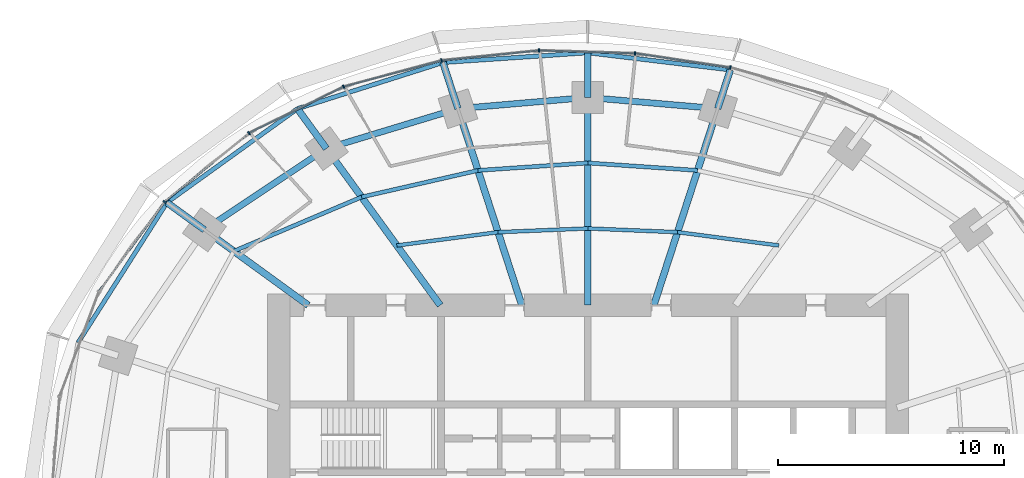
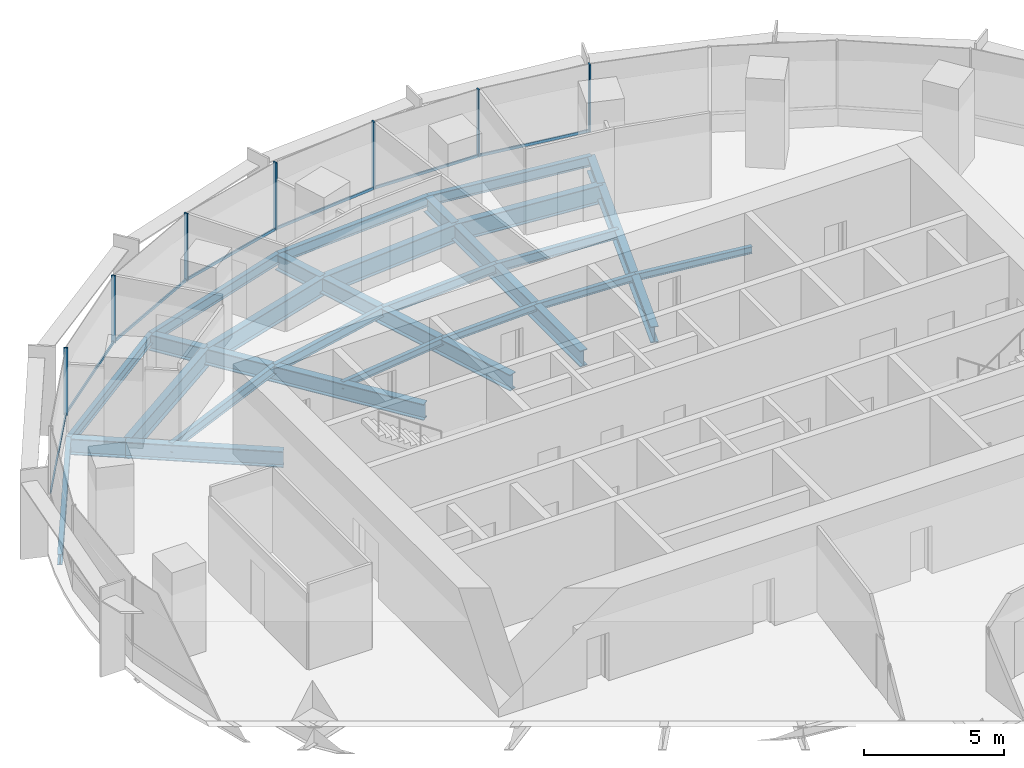
# One storey, part 7 of 15: 27 beams, 14 members, 2 elements without a shape of their own.
"""IFC4 building model written with IfcOpenShell, lengths in metres."""

from ifc_helpers import new_model, si_unit, direction, frame, origin, origin_2d, place, context, subcontext, project, spatial, rectangle, i_section, extrude, material, material_profile, profile_set, type_object, element, aggregate, save


model = new_model("IFC4")

# Units and contexts
model_context = context("Model", 3, precision=1e-05, world=origin(), true_north=direction((0.0, 1.0)))
body_context = subcontext(model_context, "Body", "Model", "MODEL_VIEW")
ifc_project = project(units=[si_unit("LENGTHUNIT", "METRE"), si_unit("AREAUNIT", "SQUARE_METRE"), si_unit("VOLUMEUNIT", "CUBIC_METRE"), si_unit("PLANEANGLEUNIT", "RADIAN"), si_unit("MASSUNIT", "GRAM", prefix="KILO")], contexts=[model_context])

# Site, building, storey
site_placement = place(None, origin())
site = spatial("IfcSite", under=ifc_project, at=site_placement, CompositionType="ELEMENT")
building_placement = place(site_placement, origin())
building = spatial("IfcBuilding", under=site, at=building_placement, Name="Marramba Exchange Tower", CompositionType="ELEMENT")
storey_placement = place(building_placement, frame((0.0, 0.0, 187.699951171875)))
storey = spatial("IfcBuildingStorey", under=building, at=storey_placement, Name="L45", CompositionType="ELEMENT", Elevation=187.699951171875)

# Beams
ifc_material_1 = material(Name="Steel AS/NZS 3679.2 grade 300", Category="steel")
ifc_material_profile_1 = material_profile(ifc_material_1, i_section(OverallWidth=0.300048828125, OverallDepth=0.699951171875, WebThickness=0.010009765625, FlangeThickness=0.031982421875, at=origin_2d()), Name="700WB173")
ifc_profile_set_1 = profile_set([ifc_material_profile_1], Name="Steel AS/NZS 3679.2 grade 300")
beam_type_1 = type_object("IfcBeamType", Name="Cantilever girder 700WB173", PredefinedType="BEAM", material=ifc_profile_set_1)
beam_1_placement = place(storey_placement, frame((5.75390625, 17.70849609375, -0.510009765625), z_axis=(0.308960771946, 0.951074782232, 0.0), x_axis=(-0.951074782232, 0.308960771946, 0.0)))
element("IfcBeam", 1, at=beam_1_placement, inside=storey, type_object=beam_type_1, Name="Cantilever girder L45 TC05", PredefinedType="BEAM", context=body_context, shape_type="SweptSolid", body=[
    extrude(i_section(OverallWidth=0.300048828125, OverallDepth=0.699951171875, WebThickness=0.010009765625, FlangeThickness=0.031982421875, at=origin_2d()), origin(), (0.0, 0.0, 1.0), 1.806396484375),
])
beam_2_placement = place(storey_placement, frame((0.0, 18.2041015625, -0.510009765625), z_axis=(0.0, 1.0, 0.0), x_axis=(-1.0, 0.0, 0.0)))
element("IfcBeam", 2, at=beam_2_placement, inside=storey, type_object=beam_type_1, Name="Cantilever girder L45 TC06", PredefinedType="BEAM", context=body_context, shape_type="SweptSolid", body=[
    extrude(i_section(OverallWidth=0.300048828125, OverallDepth=0.699951171875, WebThickness=0.010009765625, FlangeThickness=0.031982421875, at=origin_2d()), origin(), (0.0, 0.0, 1.0), 1.982177734375),
])
beam_3_placement = place(storey_placement, frame((-5.75390625, 17.70849609375, -0.510009765625), z_axis=(-0.308998798068, 0.951062428441, 0.0), x_axis=(-0.951062428441, -0.308998798068, 0.0)))
element("IfcBeam", 3, at=beam_3_placement, inside=storey, type_object=beam_type_1, Name="Cantilever girder L45 TC07", PredefinedType="BEAM", context=body_context, shape_type="SweptSolid", body=[
    extrude(i_section(OverallWidth=0.300048828125, OverallDepth=0.699951171875, WebThickness=0.010009765625, FlangeThickness=0.031982421875, at=origin_2d()), origin(), (0.0, 0.0, 1.0), 2.150634765625),
])
beam_4_placement = place(storey_placement, frame((-11.581298828125, 15.9404296875, -0.510009765625), z_axis=(-0.587832433352, 0.808982713226, 0.0), x_axis=(-0.808982713226, -0.587832433352, 0.0)))
element("IfcBeam", 4, at=beam_4_placement, inside=storey, type_object=beam_type_1, Name="Cantilever girder L45 TC08", PredefinedType="BEAM", context=body_context, shape_type="SweptSolid", body=[
    extrude(i_section(OverallWidth=0.300048828125, OverallDepth=0.699951171875, WebThickness=0.010009765625, FlangeThickness=0.031982421875, at=origin_2d()), origin(), (0.0, 0.0, 1.0), 2.1826171875),
])
beam_5_placement = place(storey_placement, frame((-16.98583984375, 12.3408203125, -0.510009765625), z_axis=(-0.808962446125, 0.587860324192, 0.0), x_axis=(-0.587860324192, -0.808962446125, 0.0)))
element("IfcBeam", 5, at=beam_5_placement, inside=storey, type_object=beam_type_1, Name="Cantilever girder L45 TC09", PredefinedType="BEAM", context=body_context, shape_type="SweptSolid", body=[
    extrude(i_section(OverallWidth=0.300048828125, OverallDepth=0.699951171875, WebThickness=0.010009765625, FlangeThickness=0.031982421875, at=origin_2d()), origin(), (0.0, 0.0, 1.0), 2.051513671875),
])
ifc_material_2 = material(Name="Steel AS/NZS 3679.1 grade 300", Category="steel")
ifc_material_profile_2 = material_profile(ifc_material_2, i_section(OverallWidth=0.166015625, OverallDepth=0.306884765625, WebThickness=0.006591796875, FlangeThickness=0.01171875, FilletRadius=0.011474609375, at=origin_2d()), Name="310UB46.2")
ifc_profile_set_2 = profile_set([ifc_material_profile_2], Name="Steel AS/NZS 3679.1 grade 300")
beam_type_2 = type_object("IfcBeamType", Name="Floor joist 310UB46.2", PredefinedType="JOIST", material=ifc_profile_set_2)
beam_6_placement = place(storey_placement, frame((8.4619140625, 11.646728515625, -0.3134765625), z_axis=(-0.991480538255, 0.130254912618, 0.0), x_axis=(-0.130254912618, -0.991480538255, 0.0)))
element("IfcBeam", 6, at=beam_6_placement, inside=storey, type_object=beam_type_2, Name="Joist L45 bay 04 row 1", PredefinedType="JOIST", context=body_context, shape_type="SweptSolid", body=[
    extrude(i_section(OverallWidth=0.166015625, OverallDepth=0.306884765625, WebThickness=0.006591796875, FlangeThickness=0.01171875, FilletRadius=0.011474609375, at=origin_2d()), origin(), (0.0, 0.0, 1.0), 4.524658203125),
])
for number, where, z_axis, x_axis, name in (
    (7, (3.975830078125, 12.236083984375, -0.3134765625), (-0.999137002892, 0.041536122257, 0.0), (-0.041536122257, -0.999137002892, 0.0), "Joist L45 bay 05 row 1"),
    (8, (0.0, 12.4013671875, -0.3134765625), (-0.999137002892, -0.041536122257, 0.0), (0.041536122257, -0.999137002892, 0.0), "Joist L45 bay 06 row 1"),
):
    element("IfcBeam", number, at=place(storey_placement, frame(where, z_axis=z_axis, x_axis=x_axis)), inside=storey, type_object=beam_type_2, Name=name, PredefinedType="JOIST", context=body_context, shape_type="SweptSolid", body=[
        extrude(i_section(OverallWidth=0.166015625, OverallDepth=0.306884765625, WebThickness=0.006591796875, FlangeThickness=0.01171875, FilletRadius=0.011474609375, at=origin_2d()), origin(), (0.0, 0.0, 1.0), 3.979248046875),
    ])
beam_7_placement = place(storey_placement, frame((-3.975830078125, 12.236083984375, -0.3134765625), z_axis=(-0.991480538255, -0.130254912618, 0.0), x_axis=(0.130254912618, -0.991480538255, 0.0)))
element("IfcBeam", 9, at=beam_7_placement, inside=storey, type_object=beam_type_2, Name="Joist L45 bay 07 row 1", PredefinedType="JOIST", context=body_context, shape_type="SweptSolid", body=[
    extrude(i_section(OverallWidth=0.166015625, OverallDepth=0.306884765625, WebThickness=0.006591796875, FlangeThickness=0.01171875, FilletRadius=0.011474609375, at=origin_2d()), origin(), (0.0, 0.0, 1.0), 4.524658203125),
])
ifc_material_profile_3 = material_profile(ifc_material_2, i_section(OverallWidth=0.177978515625, OverallDepth=0.406005859375, WebThickness=0.0078125, FlangeThickness=0.0126953125, FilletRadius=0.011474609375, at=origin_2d()), Name="410UB59.7")
ifc_profile_set_3 = profile_set([ifc_material_profile_3], Name="Steel AS/NZS 3679.1 grade 300")
beam_type_3 = type_object("IfcBeamType", Name="Floor joist 410UB59.7", PredefinedType="JOIST", material=ifc_profile_set_3)
for number, where, z_axis, x_axis, name in (
    (10, (4.86474609375, 14.972412109375, -0.363037109375), (-0.997702652202, 0.067745241816, 0.0), (-0.067745241816, -0.997702652202, 0.0), "Joist L45 bay 05 row 2"),
    (11, (0.0, 15.302734375, -0.363037109375), (-0.997702652202, -0.067745241816, 0.0), (0.067745241816, -0.997702652202, 0.0), "Joist L45 bay 06 row 2"),
):
    element("IfcBeam", number, at=place(storey_placement, frame(where, z_axis=z_axis, x_axis=x_axis)), inside=storey, type_object=beam_type_3, Name=name, PredefinedType="JOIST", context=body_context, shape_type="SweptSolid", body=[
        extrude(i_section(OverallWidth=0.177978515625, OverallDepth=0.406005859375, WebThickness=0.0078125, FlangeThickness=0.0126953125, FilletRadius=0.011474609375, at=origin_2d()), origin(), (0.0, 0.0, 1.0), 4.8759765625),
    ])
beam_8_placement = place(storey_placement, frame((-4.86474609375, 14.972412109375, -0.363037109375), z_axis=(-0.974859652292, -0.222819788916, 0.0), x_axis=(0.222819788916, -0.974859652292, 0.0)))
element("IfcBeam", 12, at=beam_8_placement, inside=storey, type_object=beam_type_3, Name="Joist L45 bay 07 row 2", PredefinedType="JOIST", context=body_context, shape_type="SweptSolid", body=[
    extrude(i_section(OverallWidth=0.177978515625, OverallDepth=0.406005859375, WebThickness=0.0078125, FlangeThickness=0.0126953125, FilletRadius=0.011474609375, at=origin_2d()), origin(), (0.0, 0.0, 1.0), 5.2900390625),
])
beam_9_placement = place(storey_placement, frame((-10.021728515625, 13.793701171875, -0.363037109375), z_axis=(-0.920674336375, -0.390331610738, 0.0), x_axis=(0.390331610738, -0.920674336375, 0.0)))
element("IfcBeam", 13, at=beam_9_placement, inside=storey, type_object=beam_type_3, Name="Joist L45 bay 08 row 2", PredefinedType="JOIST", context=body_context, shape_type="SweptSolid", body=[
    extrude(i_section(OverallWidth=0.177978515625, OverallDepth=0.406005859375, WebThickness=0.0078125, FlangeThickness=0.0126953125, FilletRadius=0.011474609375, at=origin_2d()), origin(), (0.0, 0.0, 1.0), 6.1484375),
])

# Curtain wall, members
ifc_material_3 = material(Name="Aluminium framing, bronze anodised", Category="aluminium")
curtain_wall_type = type_object("IfcCurtainWallType", Name="Office ribbon curtain wall", PredefinedType="USERDEFINED", material=ifc_material_3)
curtain_wall_1_placement = place(storey_placement, origin())
curtain_wall_1 = element("IfcCurtainWall", 14, at=curtain_wall_1_placement, inside=storey, type_object=curtain_wall_type, Name="Curtain wall CW4 L45 F06-F10", ObjectType="RIBBON CURTAIN WALL", PredefinedType="USERDEFINED")
ifc_material_4 = material(Name="Aluminium mullion, bronze anodised", Category="aluminium")
ifc_material_profile_4 = material_profile(ifc_material_4, rectangle(XDim=0.159912109375, YDim=0.06005859375, at=origin_2d()), Name="CW4 mullion 60x160")
ifc_profile_set_4 = profile_set([ifc_material_profile_4], Name="Aluminium mullion, bronze anodised")
member_type_1 = type_object("IfcMemberType", Name="Office ribbon curtain wall mullion", PredefinedType="MULLION", material=ifc_profile_set_4)
member_1_placement = place(storey_placement, frame((6.313232421875, 19.526123046875, 0.800048828125), z_axis=(0.0, 0.0, 1.0), x_axis=(-0.148794988635, -0.988868065698, 0.0)))
member_1 = element("IfcMember", 15, at=member_1_placement, type_object=member_type_1, Name="CW4 mullion 1", PredefinedType="MULLION", context=body_context, shape_type="SweptSolid", body=[
    extrude(rectangle(XDim=0.159912109375, YDim=0.06005859375, at=origin_2d()), origin(), (0.0, 0.0, 1.0), 2.93994140625),
])
member_2_placement = place(storey_placement, frame((2.088623046875, 20.158203125, 0.800048828125), z_axis=(0.0, 0.0, 1.0), x_axis=(-0.03039385249, -0.999538000143, 0.0)))
member_2 = element("IfcMember", 16, at=member_2_placement, type_object=member_type_1, Name="CW4 mullion 1", PredefinedType="MULLION", context=body_context, shape_type="SweptSolid", body=[
    extrude(rectangle(XDim=0.159912109375, YDim=0.06005859375, at=origin_2d()), origin(), (0.0, 0.0, 1.0), 2.93994140625),
])
member_3_placement = place(storey_placement, frame((-2.162109375, 20.28369140625, 0.800048828125), z_axis=(0.0, 0.0, 1.0), x_axis=(0.100862673507, -0.994900357369, 0.0)))
member_3 = element("IfcMember", 17, at=member_3_placement, type_object=member_type_1, Name="CW4 mullion 1", PredefinedType="MULLION", context=body_context, shape_type="SweptSolid", body=[
    extrude(rectangle(XDim=0.159912109375, YDim=0.06005859375, at=origin_2d()), origin(), (0.0, 0.0, 1.0), 2.93994140625),
])
member_4_placement = place(storey_placement, frame((-6.478271484375, 19.84130859375, 0.800048828125), z_axis=(0.0, 0.0, 1.0), x_axis=(0.257641223778, -0.966240653155, 0.0)))
member_4 = element("IfcMember", 18, at=member_4_placement, type_object=member_type_1, Name="CW4 mullion 1", PredefinedType="MULLION", context=body_context, shape_type="SweptSolid", body=[
    extrude(rectangle(XDim=0.159912109375, YDim=0.06005859375, at=origin_2d()), origin(), (0.0, 0.0, 1.0), 2.93994140625),
])

curtain_wall_2_placement = place(storey_placement, origin())
curtain_wall_2 = element("IfcCurtainWall", 19, at=curtain_wall_2_placement, inside=storey, type_object=curtain_wall_type, Name="Curtain wall CW4 L45 F11-F15", ObjectType="RIBBON CURTAIN WALL", PredefinedType="USERDEFINED")
member_5_placement = place(storey_placement, frame((-10.818359375, 18.677978515625, 0.800048828125), z_axis=(0.0, 0.0, 1.0), x_axis=(0.438972456661, -0.898500518805, 0.0)))
member_5 = element("IfcMember", 20, at=member_5_placement, type_object=member_type_1, Name="CW4 mullion 1", PredefinedType="MULLION", context=body_context, shape_type="SweptSolid", body=[
    extrude(rectangle(XDim=0.159912109375, YDim=0.06005859375, at=origin_2d()), origin(), (0.0, 0.0, 1.0), 2.93994140625),
])
member_6_placement = place(storey_placement, frame((-15.008056640625, 16.62353515625, 0.800048828125), z_axis=(0.0, 0.0, 1.0), x_axis=(0.630200830464, -0.776432169145, 0.0)))
member_6 = element("IfcMember", 21, at=member_6_placement, type_object=member_type_1, Name="CW4 mullion 1", PredefinedType="MULLION", context=body_context, shape_type="SweptSolid", body=[
    extrude(rectangle(XDim=0.159912109375, YDim=0.06005859375, at=origin_2d()), origin(), (0.0, 0.0, 1.0), 2.93994140625),
])
member_7_placement = place(storey_placement, frame((-18.744140625, 13.581298828125, 0.800048828125), z_axis=(0.0, 0.0, 1.0), x_axis=(0.805965197024, -0.591962922138, 0.0)))
member_7 = element("IfcMember", 22, at=member_7_placement, type_object=member_type_1, Name="CW4 mullion 1", PredefinedType="MULLION", context=body_context, shape_type="SweptSolid", body=[
    extrude(rectangle(XDim=0.159912109375, YDim=0.06005859375, at=origin_2d()), origin(), (0.0, 0.0, 1.0), 2.93994140625),
])

# Member
ifc_material_5 = material(Name="Aluminium transom, bronze anodised", Category="aluminium")
ifc_material_profile_5 = material_profile(ifc_material_5, rectangle(XDim=0.06005859375, YDim=0.1201171875, at=origin_2d()), Name="CW4 transom 60x120")
ifc_profile_set_5 = profile_set([ifc_material_profile_5], Name="Aluminium transom, bronze anodised")
member_type_2 = type_object("IfcMemberType", Name="Office ribbon curtain wall transom", PredefinedType="USERDEFINED", material=ifc_profile_set_5)
member_8_placement = place(storey_placement, frame((6.28369140625, 19.53076171875, 0.830078125), z_axis=(-0.988868222508, 0.148793946493, 0.0), x_axis=(-0.148793946493, -0.988868222508, 0.0)))
member_8 = element("IfcMember", 23, at=member_8_placement, type_object=member_type_2, Name="CW4 sill transom", ObjectType="TRANSOM", PredefinedType="USERDEFINED", context=body_context, shape_type="SweptSolid", body=[
    extrude(rectangle(XDim=0.06005859375, YDim=0.1201171875, at=origin_2d()), origin(), (0.0, 0.0, 1.0), 4.2119140625),
])

member_9_placement = place(storey_placement, frame((2.05859375, 20.1591796875, 0.830078125), z_axis=(-0.99953796835, 0.030394898024, 0.0), x_axis=(-0.030394898024, -0.99953796835, 0.0)))
member_9 = element("IfcMember", 24, at=member_9_placement, type_object=member_type_2, Name="CW4 sill transom", ObjectType="TRANSOM", PredefinedType="USERDEFINED", context=body_context, shape_type="SweptSolid", body=[
    extrude(rectangle(XDim=0.06005859375, YDim=0.1201171875, at=origin_2d()), origin(), (0.0, 0.0, 1.0), 4.19287109375),
])

member_10_placement = place(storey_placement, frame((-2.19189453125, 20.280517578125, 0.830078125), z_axis=(-0.99489954864, -0.100870650418, 0.0), x_axis=(0.100870650418, -0.99489954864, 0.0)))
member_10 = element("IfcMember", 25, at=member_10_placement, type_object=member_type_2, Name="CW4 sill transom", ObjectType="TRANSOM", PredefinedType="USERDEFINED", context=body_context, shape_type="SweptSolid", body=[
    extrude(rectangle(XDim=0.06005859375, YDim=0.1201171875, at=origin_2d()), origin(), (0.0, 0.0, 1.0), 4.279052734375),
])

member_11_placement = place(storey_placement, frame((-6.50732421875, 19.83349609375, 0.830078125), z_axis=(-0.966237681407, -0.25765236857, 0.0), x_axis=(0.25765236857, -0.966237681407, 0.0)))
member_11 = element("IfcMember", 26, at=member_11_placement, type_object=member_type_2, Name="CW4 sill transom", ObjectType="TRANSOM", PredefinedType="USERDEFINED", context=body_context, shape_type="SweptSolid", body=[
    extrude(rectangle(XDim=0.06005859375, YDim=0.1201171875, at=origin_2d()), origin(), (0.0, 0.0, 1.0), 4.43359375),
])

aggregate(curtain_wall_1, [member_1, member_8, member_2, member_9, member_3, member_10, member_4, member_11])

member_12_placement = place(storey_placement, frame((-10.84521484375, 18.664794921875, 0.830078125), z_axis=(-0.898501418486, -0.438970615165, 0.0), x_axis=(0.438970615165, -0.898501418486, 0.0)))
member_12 = element("IfcMember", 27, at=member_12_placement, type_object=member_type_2, Name="CW4 sill transom", ObjectType="TRANSOM", PredefinedType="USERDEFINED", context=body_context, shape_type="SweptSolid", body=[
    extrude(rectangle(XDim=0.06005859375, YDim=0.1201171875, at=origin_2d()), origin(), (0.0, 0.0, 1.0), 4.607177734375),
])

member_13_placement = place(storey_placement, frame((-15.031494140625, 16.6044921875, 0.830078125), z_axis=(-0.776424623019, -0.630210127473, 0.0), x_axis=(0.630210127473, -0.776424623019, 0.0)))
member_13 = element("IfcMember", 28, at=member_13_placement, type_object=member_type_2, Name="CW4 sill transom", ObjectType="TRANSOM", PredefinedType="USERDEFINED", context=body_context, shape_type="SweptSolid", body=[
    extrude(rectangle(XDim=0.06005859375, YDim=0.1201171875, at=origin_2d()), origin(), (0.0, 0.0, 1.0), 4.7587890625),
])

member_14_placement = place(storey_placement, frame((-18.761962890625, 13.55712890625, 0.830078125), z_axis=(-0.591957380483, -0.805969267213, 0.0), x_axis=(0.805969267213, -0.591957380483, 0.0)))
member_14 = element("IfcMember", 29, at=member_14_placement, type_object=member_type_2, Name="CW4 sill transom", ObjectType="TRANSOM", PredefinedType="USERDEFINED", context=body_context, shape_type="SweptSolid", body=[
    extrude(rectangle(XDim=0.06005859375, YDim=0.1201171875, at=origin_2d()), origin(), (0.0, 0.0, 1.0), 4.865478515625),
])

aggregate(curtain_wall_2, [member_5, member_12, member_6, member_13, member_7, member_14])

# Beams
ifc_material_profile_6 = material_profile(ifc_material_1, i_section(OverallWidth=0.300048828125, OverallDepth=0.699951171875, WebThickness=0.010009765625, FlangeThickness=0.031982421875, at=origin_2d()), Name="700WB173")
ifc_profile_set_6 = profile_set([ifc_material_profile_6], Name="Steel AS/NZS 3679.2 grade 300")
beam_type_4 = type_object("IfcBeamType", Name="Radial girder 700WB173", PredefinedType="BEAM", material=ifc_profile_set_6)
beam_10_placement = place(storey_placement, frame((2.92431640625, 9.0, -0.510009765625), z_axis=(0.309019754162, 0.951055619582, 0.0), x_axis=(-0.951055619582, 0.309019754162, 0.0)))
element("IfcBeam", 30, at=beam_10_placement, inside=storey, type_object=beam_type_4, Name="Radial girder L45 TC05", PredefinedType="BEAM", context=body_context, shape_type="SweptSolid", body=[
    extrude(i_section(OverallWidth=0.300048828125, OverallDepth=0.699951171875, WebThickness=0.010009765625, FlangeThickness=0.031982421875, at=origin_2d()), origin(), (0.0, 0.0, 1.0), 9.15673828125),
])
beam_11_placement = place(storey_placement, frame((0.0, 9.0, -0.510009765625), z_axis=(0.0, 1.0, 0.0), x_axis=(-1.0, 0.0, 0.0)))
element("IfcBeam", 31, at=beam_11_placement, inside=storey, type_object=beam_type_4, Name="Radial girder L45 TC06", PredefinedType="BEAM", context=body_context, shape_type="SweptSolid", body=[
    extrude(i_section(OverallWidth=0.300048828125, OverallDepth=0.699951171875, WebThickness=0.010009765625, FlangeThickness=0.031982421875, at=origin_2d()), origin(), (0.0, 0.0, 1.0), 9.2041015625),
])
beam_12_placement = place(storey_placement, frame((-2.92431640625, 9.0, -0.510009765625), z_axis=(-0.309019754162, 0.951055619582, 0.0), x_axis=(-0.951055619582, -0.309019754162, 0.0)))
element("IfcBeam", 32, at=beam_12_placement, inside=storey, type_object=beam_type_4, Name="Radial girder L45 TC07", PredefinedType="BEAM", context=body_context, shape_type="SweptSolid", body=[
    extrude(i_section(OverallWidth=0.300048828125, OverallDepth=0.699951171875, WebThickness=0.010009765625, FlangeThickness=0.031982421875, at=origin_2d()), origin(), (0.0, 0.0, 1.0), 9.15673828125),
])
beam_13_placement = place(storey_placement, frame((-6.538818359375, 9.0, -0.510009765625), z_axis=(-0.587782439969, 0.80901903764, 0.0), x_axis=(-0.80901903764, -0.587782439969, 0.0)))
element("IfcBeam", 33, at=beam_13_placement, inside=storey, type_object=beam_type_4, Name="Radial girder L45 TC08", PredefinedType="BEAM", context=body_context, shape_type="SweptSolid", body=[
    extrude(i_section(OverallWidth=0.300048828125, OverallDepth=0.699951171875, WebThickness=0.010009765625, FlangeThickness=0.031982421875, at=origin_2d()), origin(), (0.0, 0.0, 1.0), 8.578857421875),
])
beam_14_placement = place(storey_placement, frame((-12.387451171875, 9.0, -0.510009765625), z_axis=(-0.809025746925, 0.587773205252, 0.0), x_axis=(-0.587773205252, -0.809025746925, 0.0)))
element("IfcBeam", 34, at=beam_14_placement, inside=storey, type_object=beam_type_4, Name="Radial girder L45 TC09", PredefinedType="BEAM", context=body_context, shape_type="SweptSolid", body=[
    extrude(i_section(OverallWidth=0.300048828125, OverallDepth=0.699951171875, WebThickness=0.010009765625, FlangeThickness=0.031982421875, at=origin_2d()), origin(), (0.0, 0.0, 1.0), 5.683837890625),
])
ifc_material_profile_7 = material_profile(ifc_material_1, i_section(OverallWidth=0.27490234375, OverallDepth=0.800048828125, WebThickness=0.010009765625, FlangeThickness=0.02490234375, at=origin_2d()), Name="800WB168")
ifc_profile_set_7 = profile_set([ifc_material_profile_7], Name="Steel AS/NZS 3679.2 grade 300")
beam_type_5 = type_object("IfcBeamType", Name="Ring beam 800WB168", PredefinedType="SPANDREL", material=ifc_profile_set_7)
for number, where, z_axis, x_axis, name in (
    (35, (5.75390625, 17.70849609375, -0.56005859375), (-0.996311003275, 0.085815993578, 0.0), (-0.085815993578, -0.996311003275, 0.0), "Ring beam L45 TC05-TC06"),
    (36, (0.0, 18.2041015625, -0.56005859375), (-0.996311003275, -0.085815993578, 0.0), (0.085815993578, -0.996311003275, 0.0), "Ring beam L45 TC06-TC07"),
):
    element("IfcBeam", number, at=place(storey_placement, frame(where, z_axis=z_axis, x_axis=x_axis)), inside=storey, type_object=beam_type_5, Name=name, PredefinedType="SPANDREL", context=body_context, shape_type="SweptSolid", body=[
        extrude(i_section(OverallWidth=0.27490234375, OverallDepth=0.800048828125, WebThickness=0.010009765625, FlangeThickness=0.02490234375, at=origin_2d()), origin(), (0.0, 0.0, 1.0), 5.775146484375),
    ])
beam_15_placement = place(storey_placement, frame((-5.75390625, 17.70849609375, -0.56005859375), z_axis=(-0.956924542524, -0.290336735387, 0.0), x_axis=(0.290336735387, -0.956924542524, 0.0)))
element("IfcBeam", 37, at=beam_15_placement, inside=storey, type_object=beam_type_5, Name="Ring beam L45 TC07-TC08", PredefinedType="SPANDREL", context=body_context, shape_type="SweptSolid", body=[
    extrude(i_section(OverallWidth=0.27490234375, OverallDepth=0.800048828125, WebThickness=0.010009765625, FlangeThickness=0.02490234375, at=origin_2d()), origin(), (0.0, 0.0, 1.0), 6.089599609375),
])
beam_16_placement = place(storey_placement, frame((-11.581298828125, 15.9404296875, -0.56005859375), z_axis=(-0.832293151443, -0.554335737673, 0.0), x_axis=(0.554335737673, -0.832293151443, 0.0)))
element("IfcBeam", 38, at=beam_16_placement, inside=storey, type_object=beam_type_5, Name="Ring beam L45 TC08-TC09", PredefinedType="SPANDREL", context=body_context, shape_type="SweptSolid", body=[
    extrude(i_section(OverallWidth=0.27490234375, OverallDepth=0.800048828125, WebThickness=0.010009765625, FlangeThickness=0.02490234375, at=origin_2d()), origin(), (0.0, 0.0, 1.0), 6.49365234375),
])
ifc_material_profile_8 = material_profile(ifc_material_2, i_section(OverallWidth=0.19091796875, OverallDepth=0.4599609375, WebThickness=0.010009765625, FlangeThickness=0.01611328125, FilletRadius=0.011474609375, at=origin_2d()), Name="460UB82.1")
ifc_profile_set_8 = profile_set([ifc_material_profile_8], Name="Steel AS/NZS 3679.1 grade 300")
beam_type_6 = type_object("IfcBeamType", Name="Slab edge beam 460UB82.1", PredefinedType="SPANDREL", material=ifc_profile_set_8)
beam_17_placement = place(storey_placement, frame((6.31201171875, 19.426513671875, -0.389892578125), z_axis=(-0.992833525914, 0.119505605811, 0.0), x_axis=(-0.119505605811, -0.992833525914, 0.0)))
element("IfcBeam", 39, at=beam_17_placement, inside=storey, type_object=beam_type_6, Name="Slab edge beam L45 TC05-TC06", PredefinedType="SPANDREL", context=body_context, shape_type="SweptSolid", body=[
    extrude(i_section(OverallWidth=0.19091796875, OverallDepth=0.4599609375, WebThickness=0.010009765625, FlangeThickness=0.01611328125, FilletRadius=0.011474609375, at=origin_2d()), origin(), (0.0, 0.0, 1.0), 6.357666015625),
])
beam_18_placement = place(storey_placement, frame((0.0, 20.186279296875, -0.389892578125), z_axis=(-0.997738737775, -0.06721168903, 0.0), x_axis=(0.06721168903, -0.997738737775, 0.0)))
element("IfcBeam", 40, at=beam_18_placement, inside=storey, type_object=beam_type_6, Name="Slab edge beam L45 TC06-TC07", PredefinedType="SPANDREL", context=body_context, shape_type="SweptSolid", body=[
    extrude(i_section(OverallWidth=0.19091796875, OverallDepth=0.4599609375, WebThickness=0.010009765625, FlangeThickness=0.01611328125, FilletRadius=0.011474609375, at=origin_2d()), origin(), (0.0, 0.0, 1.0), 6.43310546875),
])
beam_19_placement = place(storey_placement, frame((-6.41845703125, 19.75390625, -0.389892578125), z_axis=(-0.953057484675, -0.302789416766, 0.0), x_axis=(0.302789416766, -0.953057484675, 0.0)))
element("IfcBeam", 41, at=beam_19_placement, inside=storey, type_object=beam_type_6, Name="Slab edge beam L45 TC07-TC08", PredefinedType="SPANDREL", context=body_context, shape_type="SweptSolid", body=[
    extrude(i_section(OverallWidth=0.19091796875, OverallDepth=0.4599609375, WebThickness=0.010009765625, FlangeThickness=0.01611328125, FilletRadius=0.011474609375, at=origin_2d()), origin(), (0.0, 0.0, 1.0), 6.76318359375),
])
beam_20_placement = place(storey_placement, frame((-12.8642578125, 17.7060546875, -0.389892578125), z_axis=(-0.811755352788, -0.583997643163, 0.0), x_axis=(0.583997643163, -0.811755352788, 0.0)))
element("IfcBeam", 42, at=beam_20_placement, inside=storey, type_object=beam_type_6, Name="Slab edge beam L45 TC08-TC09", PredefinedType="SPANDREL", context=body_context, shape_type="SweptSolid", body=[
    extrude(i_section(OverallWidth=0.19091796875, OverallDepth=0.4599609375, WebThickness=0.010009765625, FlangeThickness=0.01611328125, FilletRadius=0.011474609375, at=origin_2d()), origin(), (0.0, 0.0, 1.0), 7.121826171875),
])
beam_21_placement = place(storey_placement, frame((-18.6455078125, 13.546875, -0.389892578125), z_axis=(-0.535794396634, -0.844348485245, 0.0), x_axis=(0.844348485245, -0.535794396634, 0.0)))
element("IfcBeam", 43, at=beam_21_placement, inside=storey, type_object=beam_type_6, Name="Slab edge beam L45 TC09-TC10", PredefinedType="SPANDREL", context=body_context, shape_type="SweptSolid", body=[
    extrude(i_section(OverallWidth=0.19091796875, OverallDepth=0.4599609375, WebThickness=0.010009765625, FlangeThickness=0.01611328125, FilletRadius=0.011474609375, at=origin_2d()), origin(), (0.0, 0.0, 1.0), 7.35302734375),
])

save(model, "model.ifc")
